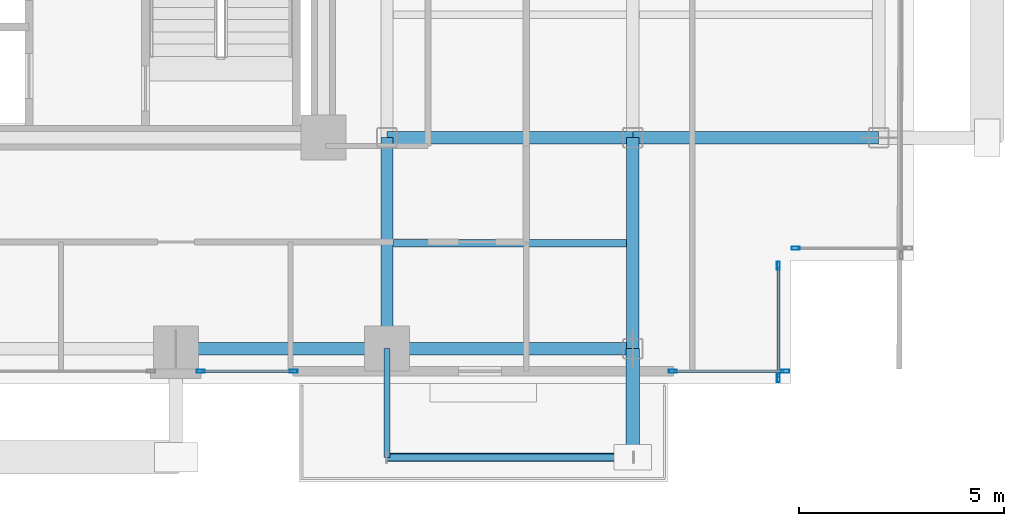
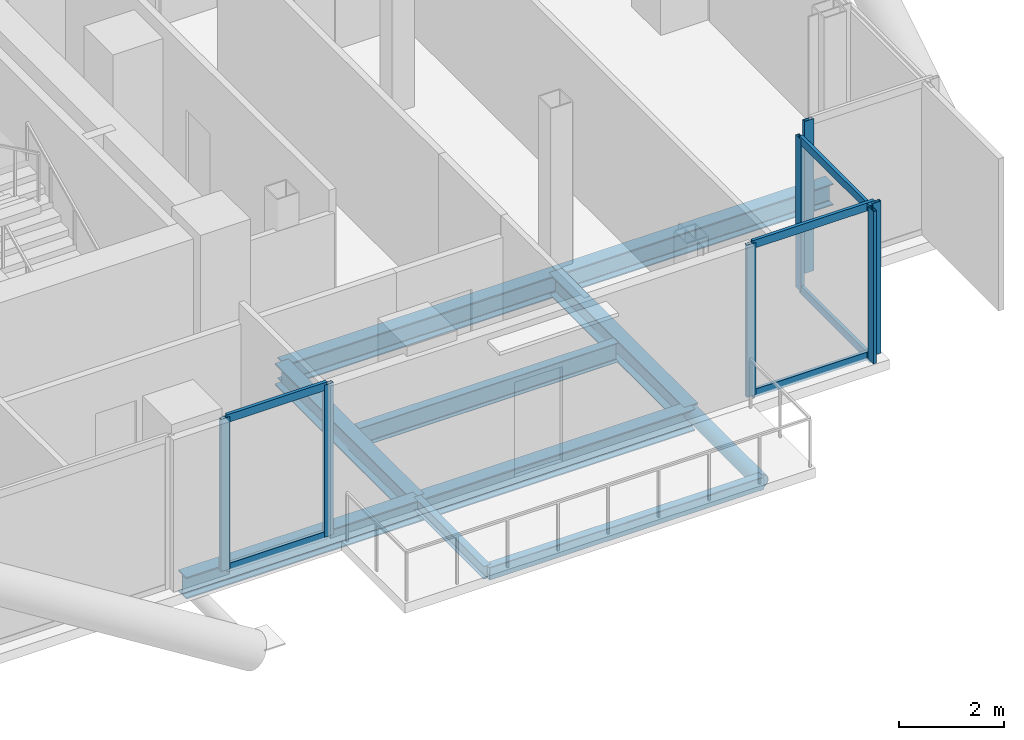
# One storey, part 10 of 28: 14 members, 9 beams, 4 elements without a shape of their own.
"""IFC4 building model written with IfcOpenShell, lengths in metres."""

from ifc_helpers import new_model, si_unit, direction, frame, origin, origin_2d, place, context, subcontext, project, spatial, hollow_rectangle, hollow_circle, i_section, extrude, material, layer, layer_set, material_profile, profile_set, type_object, element, aggregate, save


model = new_model("IFC4")

# Units and contexts
model_context = context("Model", 3, precision=1e-05, world=origin(), true_north=direction((0.0, 1.0)))
body_context = subcontext(model_context, "Body", "Model", "MODEL_VIEW")
ifc_project = project(units=[si_unit("LENGTHUNIT", "METRE"), si_unit("AREAUNIT", "SQUARE_METRE"), si_unit("VOLUMEUNIT", "CUBIC_METRE"), si_unit("PLANEANGLEUNIT", "RADIAN"), si_unit("MASSUNIT", "GRAM", prefix="KILO"), si_unit("THERMODYNAMICTEMPERATUREUNIT", "KELVIN"), si_unit("POWERUNIT", "WATT")], contexts=[model_context])

# Site, building, storey
site_placement = place(None, origin())
site = spatial("IfcSite", under=ifc_project, at=site_placement, CompositionType="ELEMENT")
building_placement = place(site_placement, origin())
building = spatial("IfcBuilding", under=site, at=building_placement, Name="Svarakhadi Broadcast Tower", CompositionType="ELEMENT")
storey_placement = place(building_placement, frame((0.0, 0.0, 103.35009765625)))
storey = spatial("IfcBuildingStorey", under=building, at=storey_placement, Name="L24", CompositionType="ELEMENT", Elevation=103.35009765625)

# Beam
ifc_material_1 = material(Name="Steel S355J2 (IS 2062 E350C)", Category="steel")
ifc_material_profile_1 = material_profile(ifc_material_1, i_section(OverallWidth=0.18994140625, OverallDepth=0.449951171875, WebThickness=0.009521484375, FlangeThickness=0.0146484375, FilletRadius=0.02099609375, at=origin_2d()), Name="NPB 450x190x78")
ifc_profile_set_1 = profile_set([ifc_material_profile_1], Name="Steel S355J2 (IS 2062 E350C)")
beam_type_1 = type_object("IfcBeamType", Name="Beam_NPB450", PredefinedType="BEAM", material=ifc_profile_set_1)
beam_1_placement = place(storey_placement, frame((35.31005859375, 3.425048828125, -0.4501953125), z_axis=(1.0, 0.0, 0.0), x_axis=(0.0, 1.0, 0.0)))
element("IfcBeam", 1, at=beam_1_placement, inside=storey, type_object=beam_type_1, Name="L24 Secondary Composite Beam SB019", PredefinedType="BEAM", context=body_context, shape_type="SweptSolid", body=[
    extrude(i_section(OverallWidth=0.18994140625, OverallDepth=0.449951171875, WebThickness=0.009521484375, FlangeThickness=0.0146484375, FilletRadius=0.02099609375, at=origin_2d()), origin(), (0.0, 0.0, 1.0), 5.679931640625),
])

# Curtain wall, member
ifc_material_2 = material(Name="Anodised Bronze Aluminium AA 6063-T6", Category="aluminium")
ifc_layer = layer(ifc_material_2, 0.199951171875)
ifc_layer_set = layer_set([ifc_layer], Name="Anodised Bronze Aluminium AA 6063-T6")
curtain_wall_type = type_object("IfcCurtainWallType", Name="CW_Sys_03", PredefinedType="NOTDEFINED", material=ifc_layer_set)
curtain_wall_1_placement = place(storey_placement, origin())
curtain_wall_1 = element("IfcCurtainWall", 2, at=curtain_wall_1_placement, inside=storey, type_object=curtain_wall_type, Name="L24 Unitised Facade Curtain Wall 14", PredefinedType="NOTDEFINED")
ifc_material_profile_2 = material_profile(ifc_material_2, hollow_rectangle(XDim=0.074951171875, YDim=0.199951171875, WallThickness=0.005615234375, at=origin_2d()), Name="ALU MULLION 200x75x6")
ifc_profile_set_2 = profile_set([ifc_material_profile_2], Name="Anodised Bronze Aluminium AA 6063-T6")
member_type_1 = type_object("IfcMemberType", Name="CW_Sys_03_Mul", PredefinedType="MULLION", material=ifc_profile_set_2)
member_1_placement = place(storey_placement, frame((45.12744140625, 3.300048828125, 0.0), z_axis=(0.0, 0.0, 1.0), x_axis=(0.0, -1.0, 0.0)))
member_1 = element("IfcMember", 3, at=member_1_placement, type_object=member_type_1, Name="CW-03 mullion 2", PredefinedType="MULLION", context=body_context, shape_type="SweptSolid", body=[
    extrude(hollow_rectangle(XDim=0.074951171875, YDim=0.199951171875, WallThickness=0.005615234375, at=origin_2d()), origin(), (0.0, 0.0, 1.0), 3.52490234375),
])
aggregate(curtain_wall_1, [member_1])

# Curtain wall, members
curtain_wall_2_placement = place(storey_placement, origin())
curtain_wall_2 = element("IfcCurtainWall", 4, at=curtain_wall_2_placement, inside=storey, type_object=curtain_wall_type, Name="L24 Unitised Facade Curtain Wall 15", PredefinedType="NOTDEFINED")
member_2_placement = place(storey_placement, frame((44.699951171875, 2.87255859375, 0.0), z_axis=(0.0, 0.0, 1.0), x_axis=(1.0, 0.0, 0.0)))
member_2 = element("IfcMember", 5, at=member_2_placement, type_object=member_type_1, Name="CW-03 mullion 1", PredefinedType="MULLION", context=body_context, shape_type="SweptSolid", body=[
    extrude(hollow_rectangle(XDim=0.074951171875, YDim=0.199951171875, WallThickness=0.005615234375, at=origin_2d()), origin(), (0.0, 0.0, 1.0), 3.52490234375),
])
member_3_placement = place(storey_placement, frame((44.699951171875, 0.12744140625, 0.0), z_axis=(0.0, 0.0, 1.0), x_axis=(1.0, 0.0, 0.0)))
member_3 = element("IfcMember", 6, at=member_3_placement, type_object=member_type_1, Name="CW-03 mullion 2", PredefinedType="MULLION", context=body_context, shape_type="SweptSolid", body=[
    extrude(hollow_rectangle(XDim=0.074951171875, YDim=0.199951171875, WallThickness=0.005615234375, at=origin_2d()), origin(), (0.0, 0.0, 1.0), 3.52490234375),
])

curtain_wall_3_placement = place(storey_placement, origin())
curtain_wall_3 = element("IfcCurtainWall", 7, at=curtain_wall_3_placement, inside=storey, type_object=curtain_wall_type, Name="L24 South Curtain Wall 16", PredefinedType="NOTDEFINED")
member_4_placement = place(storey_placement, frame((44.87255859375, 0.300048828125, 0.0), z_axis=(0.0, 0.0, 1.0), x_axis=(0.0, -1.0, 0.0)))
member_4 = element("IfcMember", 8, at=member_4_placement, type_object=member_type_1, Name="CW-03 mullion 1", PredefinedType="MULLION", context=body_context, shape_type="SweptSolid", body=[
    extrude(hollow_rectangle(XDim=0.074951171875, YDim=0.199951171875, WallThickness=0.005615234375, at=origin_2d()), origin(), (0.0, 0.0, 1.0), 3.52490234375),
])
member_5_placement = place(storey_placement, frame((42.12744140625, 0.300048828125, 0.0), z_axis=(0.0, 0.0, 1.0), x_axis=(0.0, -1.0, 0.0)))
member_5 = element("IfcMember", 9, at=member_5_placement, type_object=member_type_1, Name="CW-03 mullion 2", PredefinedType="MULLION", context=body_context, shape_type="SweptSolid", body=[
    extrude(hollow_rectangle(XDim=0.074951171875, YDim=0.199951171875, WallThickness=0.005615234375, at=origin_2d()), origin(), (0.0, 0.0, 1.0), 3.52490234375),
])

curtain_wall_4_placement = place(storey_placement, origin())
curtain_wall_4 = element("IfcCurtainWall", 10, at=curtain_wall_4_placement, inside=storey, type_object=curtain_wall_type, Name="L24 South Curtain Wall 17 Bay 1", PredefinedType="NOTDEFINED")
member_6_placement = place(storey_placement, frame((32.87255859375, 0.300048828125, 0.0), z_axis=(0.0, 0.0, 1.0), x_axis=(0.0, -1.0, 0.0)))
member_6 = element("IfcMember", 11, at=member_6_placement, type_object=member_type_1, Name="CW-03 mullion 1", PredefinedType="MULLION", context=body_context, shape_type="SweptSolid", body=[
    extrude(hollow_rectangle(XDim=0.074951171875, YDim=0.199951171875, WallThickness=0.005615234375, at=origin_2d()), origin(), (0.0, 0.0, 1.0), 3.52490234375),
])
member_7_placement = place(storey_placement, frame((30.607421875, 0.300048828125, 0.0), z_axis=(0.0, 0.0, 1.0), x_axis=(0.0, -1.0, 0.0)))
member_7 = element("IfcMember", 12, at=member_7_placement, type_object=member_type_1, Name="CW-03 mullion 2", PredefinedType="MULLION", context=body_context, shape_type="SweptSolid", body=[
    extrude(hollow_rectangle(XDim=0.074951171875, YDim=0.199951171875, WallThickness=0.005615234375, at=origin_2d()), origin(), (0.0, 0.0, 1.0), 3.52490234375),
])

# Member
ifc_material_profile_3 = material_profile(ifc_material_2, hollow_rectangle(XDim=0.070068359375, YDim=0.18505859375, WallThickness=0.0048828125, at=origin_2d()), Name="ALU TRANSOM 185x70x5")
ifc_profile_set_3 = profile_set([ifc_material_profile_3], Name="Anodised Bronze Aluminium AA 6063-T6")
member_type_2 = type_object("IfcMemberType", Name="CW_Sys_03_Trn", PredefinedType="USERDEFINED", material=ifc_profile_set_3)
member_8_placement = place(storey_placement, frame((44.699951171875, 2.8349609375, 0.034912109375), z_axis=(0.0, -1.0, 0.0), x_axis=(1.0, 0.0, 0.0)))
member_8 = element("IfcMember", 13, at=member_8_placement, type_object=member_type_2, Name="CW-03 transom 1.1", ObjectType="TRANSOM", PredefinedType="USERDEFINED", context=body_context, shape_type="SweptSolid", body=[
    extrude(hollow_rectangle(XDim=0.070068359375, YDim=0.18505859375, WallThickness=0.0048828125, at=origin_2d()), origin(), (0.0, 0.0, 1.0), 2.669921875),
])

member_9_placement = place(storey_placement, frame((44.699951171875, 2.8349609375, 3.489990234375), z_axis=(0.0, -1.0, 0.0), x_axis=(1.0, 0.0, 0.0)))
member_9 = element("IfcMember", 14, at=member_9_placement, type_object=member_type_2, Name="CW-03 transom 1.2", ObjectType="TRANSOM", PredefinedType="USERDEFINED", context=body_context, shape_type="SweptSolid", body=[
    extrude(hollow_rectangle(XDim=0.070068359375, YDim=0.18505859375, WallThickness=0.0048828125, at=origin_2d()), origin(), (0.0, 0.0, 1.0), 2.669921875),
])

aggregate(curtain_wall_2, [member_2, member_3, member_8, member_9])

member_10_placement = place(storey_placement, frame((44.8349609375, 0.300048828125, 0.034912109375), z_axis=(-1.0, 0.0, 0.0), x_axis=(0.0, -1.0, 0.0)))
member_10 = element("IfcMember", 15, at=member_10_placement, type_object=member_type_2, Name="CW-03 transom 1.1", ObjectType="TRANSOM", PredefinedType="USERDEFINED", context=body_context, shape_type="SweptSolid", body=[
    extrude(hollow_rectangle(XDim=0.070068359375, YDim=0.18505859375, WallThickness=0.0048828125, at=origin_2d()), origin(), (0.0, 0.0, 1.0), 2.669921875),
])

member_11_placement = place(storey_placement, frame((44.8349609375, 0.300048828125, 3.489990234375), z_axis=(-1.0, 0.0, 0.0), x_axis=(0.0, -1.0, 0.0)))
member_11 = element("IfcMember", 16, at=member_11_placement, type_object=member_type_2, Name="CW-03 transom 1.2", ObjectType="TRANSOM", PredefinedType="USERDEFINED", context=body_context, shape_type="SweptSolid", body=[
    extrude(hollow_rectangle(XDim=0.070068359375, YDim=0.18505859375, WallThickness=0.0048828125, at=origin_2d()), origin(), (0.0, 0.0, 1.0), 2.669921875),
])

aggregate(curtain_wall_3, [member_4, member_5, member_10, member_11])

member_12_placement = place(storey_placement, frame((32.8349609375, 0.300048828125, 0.034912109375), z_axis=(-1.0, 0.0, 0.0), x_axis=(0.0, -1.0, 0.0)))
member_12 = element("IfcMember", 17, at=member_12_placement, type_object=member_type_2, Name="CW-03 transom 1.1", ObjectType="TRANSOM", PredefinedType="USERDEFINED", context=body_context, shape_type="SweptSolid", body=[
    extrude(hollow_rectangle(XDim=0.070068359375, YDim=0.18505859375, WallThickness=0.0048828125, at=origin_2d()), origin(), (0.0, 0.0, 1.0), 2.18994140625),
])

member_13_placement = place(storey_placement, frame((32.8349609375, 0.300048828125, 3.489990234375), z_axis=(-1.0, 0.0, 0.0), x_axis=(0.0, -1.0, 0.0)))
member_13 = element("IfcMember", 18, at=member_13_placement, type_object=member_type_2, Name="CW-03 transom 1.2", ObjectType="TRANSOM", PredefinedType="USERDEFINED", context=body_context, shape_type="SweptSolid", body=[
    extrude(hollow_rectangle(XDim=0.070068359375, YDim=0.18505859375, WallThickness=0.0048828125, at=origin_2d()), origin(), (0.0, 0.0, 1.0), 2.18994140625),
])

aggregate(curtain_wall_4, [member_6, member_7, member_12, member_13])

ifc_material_3 = material(Name="Steel S460ML (IS 2062 E450BR)", Category="steel")
ifc_material_profile_4 = material_profile(ifc_material_3, hollow_circle(Radius=0.161865234375, WallThickness=0.01611328125, at=origin_2d()), Name="CHS 323.9x16")
ifc_profile_set_4 = profile_set([ifc_material_profile_4], Name="Steel S460ML (IS 2062 E450BR)")
member_type_3 = type_object("IfcMemberType", Name="Exo_Radial_Strut_Z2", PredefinedType="STRUT", material=ifc_profile_set_4)
member_14_placement = place(storey_placement, frame((41.14990234375, -1.800048828125, -0.386962890625), z_axis=(0.0, 1.0, 0.0), x_axis=(-1.0, 0.0, 0.0)))
element("IfcMember", 19, at=member_14_placement, inside=storey, type_object=member_type_3, Name="L24 Exoskeleton Radial Tie Strut S04", PredefinedType="STRUT", context=body_context, shape_type="SweptSolid", body=[
    extrude(hollow_circle(Radius=0.161865234375, WallThickness=0.01611328125, at=origin_2d()), origin(), (0.0, 0.0, 1.0), 2.650146484375),
])

# Beams
ifc_material_profile_5 = material_profile(ifc_material_1, i_section(OverallWidth=0.300048828125, OverallDepth=0.5, WebThickness=0.014404296875, FlangeThickness=0.028076171875, FilletRadius=0.027099609375, at=origin_2d()), Name="WPB 500x300x187")
ifc_profile_set_5 = profile_set([ifc_material_profile_5], Name="Steel S355J2 (IS 2062 E350C)")
beam_type_2 = type_object("IfcBeamType", Name="Girder_WPB500", PredefinedType="USERDEFINED", material=ifc_profile_set_5)
beam_2_placement = place(storey_placement, frame((30.0, 0.85009765625, -0.47509765625), z_axis=(1.0, 0.0, 0.0), x_axis=(0.0, 1.0, 0.0)))
element("IfcBeam", 20, at=beam_2_placement, inside=storey, type_object=beam_type_2, Name="L24 Primary E-W Girder G008", ObjectType="GIRDER", PredefinedType="USERDEFINED", context=body_context, shape_type="SweptSolid", body=[
    extrude(i_section(OverallWidth=0.300048828125, OverallDepth=0.5, WebThickness=0.014404296875, FlangeThickness=0.028076171875, FilletRadius=0.027099609375, at=origin_2d()), origin(), (0.0, 0.0, 1.0), 5.14990234375),
])
for number, where, z_axis, x_axis, name in (
    (21, (35.14990234375, 0.85009765625, -0.47509765625), (1.0, 0.0, 0.0), (0.0, 1.0, 0.0), "L24 Primary E-W Girder G009"),
    (22, (35.14990234375, 6.0, -0.47509765625), (1.0, 0.0, 0.0), (0.0, 1.0, 0.0), "L24 Primary E-W Girder G015"),
    (23, (41.14990234375, 6.0, -0.47509765625), (1.0, 0.0, 0.0), (0.0, 1.0, 0.0), "L24 Primary E-W Girder G016"),
):
    element("IfcBeam", number, at=place(storey_placement, frame(where, z_axis=z_axis, x_axis=x_axis)), inside=storey, type_object=beam_type_2, Name=name, ObjectType="GIRDER", PredefinedType="USERDEFINED", context=body_context, shape_type="SweptSolid", body=[
        extrude(i_section(OverallWidth=0.300048828125, OverallDepth=0.5, WebThickness=0.014404296875, FlangeThickness=0.028076171875, FilletRadius=0.027099609375, at=origin_2d()), origin(), (0.0, 0.0, 1.0), 6.0),
    ])
for number, where, z_axis, x_axis, name in (
    (24, (35.14990234375, 0.85009765625, -0.47509765625), (0.0, 1.0, 0.0), (-1.0, 0.0, 0.0), "L24 Primary N-S Girder G067"),
    (25, (41.14990234375, 0.85009765625, -0.47509765625), (0.0, 1.0, 0.0), (-1.0, 0.0, 0.0), "L24 Primary N-S Girder G070"),
):
    element("IfcBeam", number, at=place(storey_placement, frame(where, z_axis=z_axis, x_axis=x_axis)), inside=storey, type_object=beam_type_2, Name=name, ObjectType="GIRDER", PredefinedType="USERDEFINED", context=body_context, shape_type="SweptSolid", body=[
        extrude(i_section(OverallWidth=0.300048828125, OverallDepth=0.5, WebThickness=0.014404296875, FlangeThickness=0.028076171875, FilletRadius=0.027099609375, at=origin_2d()), origin(), (0.0, 0.0, 1.0), 5.14990234375),
    ])
ifc_material_profile_6 = material_profile(ifc_material_1, i_section(OverallWidth=0.14990234375, OverallDepth=0.300048828125, WebThickness=0.007080078125, FlangeThickness=0.0107421875, FilletRadius=0.014892578125, at=origin_2d()), Name="NPB 300x150x37")
ifc_profile_set_6 = profile_set([ifc_material_profile_6], Name="Steel S355J2 (IS 2062 E350C)")
beam_type_3 = type_object("IfcBeamType", Name="Spandrel_NPB300", PredefinedType="SPANDREL", material=ifc_profile_set_6)
beam_3_placement = place(storey_placement, frame((35.14990234375, 0.85009765625, -0.375), z_axis=(0.0, -1.0, 0.0), x_axis=(1.0, 0.0, 0.0)))
element("IfcBeam", 26, at=beam_3_placement, inside=storey, type_object=beam_type_3, Name="L24 Balcony Cantilever Bracket 1A", PredefinedType="SPANDREL", context=body_context, shape_type="SweptSolid", body=[
    extrude(i_section(OverallWidth=0.14990234375, OverallDepth=0.300048828125, WebThickness=0.007080078125, FlangeThickness=0.0107421875, FilletRadius=0.014892578125, at=origin_2d()), origin(), (0.0, 0.0, 1.0), 2.650146484375),
])
ifc_material_profile_7 = material_profile(ifc_material_3, hollow_rectangle(XDim=0.199951171875, YDim=0.300048828125, WallThickness=0.012451171875, InnerFilletRadius=0.012451171875, OuterFilletRadius=0.02490234375, at=origin_2d()), Name="RHS 300x200x12.5")
ifc_profile_set_7 = profile_set([ifc_material_profile_7], Name="Steel S460ML (IS 2062 E450BR)")
beam_type_4 = type_object("IfcBeamType", Name="Spandrel_RHS300", PredefinedType="SPANDREL", material=ifc_profile_set_7)
beam_4_placement = place(storey_placement, frame((35.14990234375, -1.800048828125, -0.375), z_axis=(1.0, 0.0, 0.0), x_axis=(0.0, 1.0, 0.0)))
element("IfcBeam", 27, at=beam_4_placement, inside=storey, type_object=beam_type_4, Name="L24 Balcony Outer Spandrel 1F", PredefinedType="SPANDREL", context=body_context, shape_type="SweptSolid", body=[
    extrude(hollow_rectangle(XDim=0.199951171875, YDim=0.300048828125, WallThickness=0.012451171875, InnerFilletRadius=0.012451171875, OuterFilletRadius=0.02490234375, at=origin_2d()), origin(), (0.0, 0.0, 1.0), 6.0),
])

save(model, "model.ifc")
